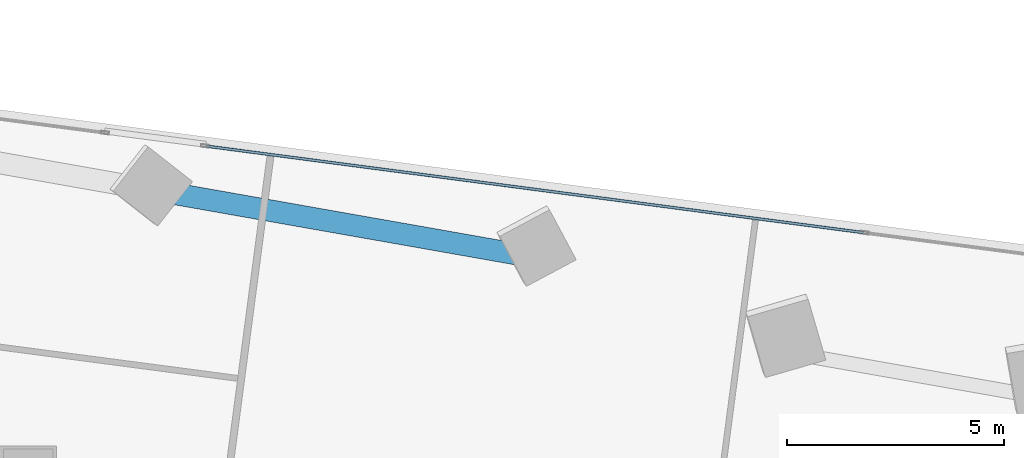
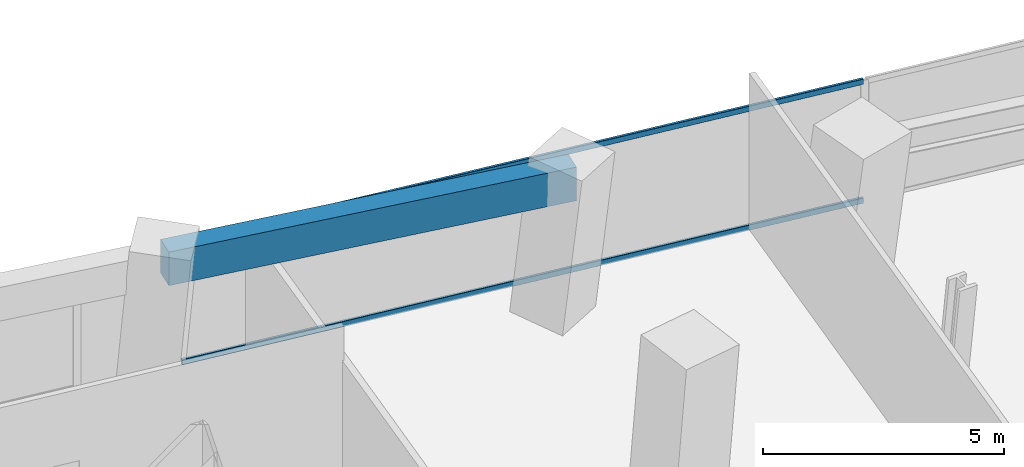
# One storey, part 15 of 24: 2 members, 1 beam, 1 element without a shape of its own.
"""IFC4 building model written with IfcOpenShell, lengths in metres."""

import ifcopenshell
import ifcopenshell.guid

model = None  # the IFC model being written
_history = None  # IfcOwnerHistory: only IFC2X3 demands one
_inside = {}  # id of a spatial element -> (the spatial element, [elements in it])
_under = {}  # id of a project, library or spatial element -> (it, [spatial elements below it])
_declared = {}  # id of a project -> (the project, [libraries it declares])
_typed = {}  # id of a type object -> (the type object, [elements of that type])
_made_of = {}  # id of a material, layer set ... -> (it, [elements and type objects made of it])


def new_model(schema):
    """Start an empty IFC model of exactly this schema.

    Asked for "IFC4X3", IfcOpenShell would pick the latest addendum, in which some entities
    have other attributes; the version numbers below select the first issue.
    IFC2X3 requires an IfcOwnerHistory on every rooted entity: one is made here for all.
    """
    global model, _history
    if schema == "IFC4X3":
        model = ifcopenshell.file(schema_version=(4, 3, 0, 0))
    else:
        model = ifcopenshell.file(schema=schema)
    _inside.clear()
    _under.clear()
    _declared.clear()
    _typed.clear()
    _made_of.clear()
    _history = None
    if model.schema == "IFC2X3":
        org = make("IfcOrganization", Name="unknown")
        user = make(
            "IfcPersonAndOrganization",
            ThePerson=make("IfcPerson", FamilyName="unknown"),
            TheOrganization=org,
        )
        app = make(
            "IfcApplication",
            ApplicationDeveloper=org,
            Version="unknown",
            ApplicationFullName="unknown",
            ApplicationIdentifier="unknown",
        )
        _history = make(
            "IfcOwnerHistory",
            OwningUser=user,
            OwningApplication=app,
            ChangeAction="ADDED",
            CreationDate=0,
        )
    return model


def make(cls, **values):
    """One entity of the class cls with the attributes given. An attribute that is None is left unset."""
    return model.create_entity(
        cls, **{name: value for name, value in values.items() if value is not None}
    )


def rooted(cls, **values):
    """An entity with a GlobalId (a new one), such as an element, a storey or a relation."""
    return make(cls, GlobalId=ifcopenshell.guid.new(), OwnerHistory=_history, **values)


def si_unit(unit_type, name, prefix=None):
    """IfcSIUnit, for example si_unit("LENGTHUNIT", "METRE", prefix="MILLI")."""
    return make("IfcSIUnit", UnitType=unit_type, Prefix=prefix, Name=name)


def assignment(units):
    """IfcUnitAssignment: the units of a project."""
    return None if units is None else make("IfcUnitAssignment", Units=units)


def point(xyz):
    """IfcCartesianPoint."""
    return None if xyz is None else make("IfcCartesianPoint", Coordinates=xyz)


def direction(xyz):
    """IfcDirection."""
    return None if xyz is None else make("IfcDirection", DirectionRatios=xyz)


def frame(location, z_axis=None, x_axis=None):
    """IfcAxis2Placement3D, a coordinate frame: its origin and axes. An axis left out is left unset."""
    return make(
        "IfcAxis2Placement3D",
        Location=point(location),
        Axis=direction(z_axis),
        RefDirection=direction(x_axis),
    )


def frame_2d(location, x_axis=None):
    """IfcAxis2Placement2D, a coordinate frame in the plane: its origin and x axis."""
    return make(
        "IfcAxis2Placement2D", Location=point(location), RefDirection=direction(x_axis)
    )


def origin():
    """The frame at (0, 0, 0) with its axes left unset."""
    return frame((0.0, 0.0, 0.0))


def origin_2d():
    """The frame at (0, 0) in the plane with its x axis left unset."""
    return frame_2d((0.0, 0.0))


def place(relative_to, where):
    """IfcLocalPlacement: puts the frame where relative to a parent placement (None: the world)."""
    return make(
        "IfcLocalPlacement", PlacementRelTo=relative_to, RelativePlacement=where
    )


def context(
    kind, dimensions, precision=None, world=None, true_north=None, identifier=None
):
    """IfcGeometricRepresentationContext, for example the 3D "Model" context."""
    return make(
        "IfcGeometricRepresentationContext",
        ContextIdentifier=identifier,
        ContextType=kind,
        CoordinateSpaceDimension=dimensions,
        Precision=precision,
        WorldCoordinateSystem=world,
        TrueNorth=true_north,
    )


def subcontext(parent, identifier, kind, view, scale=None):
    """IfcGeometricRepresentationSubContext, for example "Body" below "Model"."""
    return make(
        "IfcGeometricRepresentationSubContext",
        ContextIdentifier=identifier,
        ContextType=kind,
        ParentContext=parent,
        TargetScale=scale,
        TargetView=view,
    )


def project(units=None, contexts=None):
    """IfcProject with its units and contexts."""
    return rooted(
        "IfcProject",
        Name="project",
        RepresentationContexts=contexts,
        UnitsInContext=assignment(units),
    )


def spatial(cls, under=None, at=None, **own):
    """A site, building, storey or space (cls), placed at a placement, below another one or the project."""
    s = rooted(cls, ObjectPlacement=at, **own)
    if under is not None:
        _under.setdefault(under.id(), (under, []))[1].append(s)
    return s


def profile(cls, at=None, kind="AREA", **sizes):
    """A parametric profile (cls). Its sizes go by their IFC names, for example OverallWidth=200.0."""
    return make(cls, ProfileType=kind, Position=at, **sizes)


def rectangle(**sizes):
    """IfcRectangleProfileDef."""
    return profile("IfcRectangleProfileDef", **sizes)


def hollow_rectangle(**sizes):
    """IfcRectangleHollowProfileDef."""
    return profile("IfcRectangleHollowProfileDef", **sizes)


def extrude(swept, where, along, depth):
    """IfcExtrudedAreaSolid: the profile swept, set in the frame where, extruded along a direction by depth."""
    return make(
        "IfcExtrudedAreaSolid",
        SweptArea=swept,
        Position=where,
        ExtrudedDirection=direction(along),
        Depth=depth,
    )


def shape(context_of_items, identifier, shape_type, items):
    """IfcShapeRepresentation: the items that make up one representation, for example the "Body"."""
    return make(
        "IfcShapeRepresentation",
        ContextOfItems=context_of_items,
        RepresentationIdentifier=identifier,
        RepresentationType=shape_type,
        Items=items,
    )


def source(mapping_origin, context_of_items, identifier, shape_type, items):
    """IfcRepresentationMap: a shape defined once, which mapped items show again and again."""
    return make(
        "IfcRepresentationMap",
        MappingOrigin=mapping_origin,
        MappedRepresentation=shape(context_of_items, identifier, shape_type, items),
    )


def transform(
    local_origin,
    x_axis=None,
    y_axis=None,
    z_axis=None,
    scale=None,
    scale2=None,
    scale3=None,
    uniform=True,
):
    """IfcCartesianTransformationOperator3D, or its non-uniform kind. x_axis, y_axis, z_axis: its Axis1, 2, 3."""
    if uniform:
        return make(
            "IfcCartesianTransformationOperator3D",
            Axis1=direction(x_axis),
            Axis2=direction(y_axis),
            LocalOrigin=point(local_origin),
            Scale=scale,
            Axis3=direction(z_axis),
        )
    return make(
        "IfcCartesianTransformationOperator3DnonUniform",
        Axis1=direction(x_axis),
        Axis2=direction(y_axis),
        LocalOrigin=point(local_origin),
        Scale=scale,
        Axis3=direction(z_axis),
        Scale2=scale2,
        Scale3=scale3,
    )


def mapped(mapping_source, mapping_target):
    """IfcMappedItem: shows the shape of a source again, moved by a transform."""
    return make(
        "IfcMappedItem", MappingSource=mapping_source, MappingTarget=mapping_target
    )


def material(Name=None, Category=None):
    """IfcMaterial."""
    return make("IfcMaterial", Name=Name, Category=Category)


def material_profile(
    of_material, cross_section, Name=None, Category=None, Priority=None
):
    """IfcMaterialProfile: a cross section and its material."""
    return make(
        "IfcMaterialProfile",
        Name=Name,
        Material=of_material,
        Profile=cross_section,
        Priority=Priority,
        Category=Category,
    )


def profile_set(profiles, Name=None, composite=None):
    """IfcMaterialProfileSet."""
    return make(
        "IfcMaterialProfileSet",
        Name=Name,
        MaterialProfiles=profiles,
        CompositeProfile=composite,
    )


def made_of(thing, what):
    """Note that an element or type object is made of a material, layer set ...; save() writes the relation."""
    if what is not None:
        _made_of.setdefault(what.id(), (what, []))[1].append(thing)
    return thing


def type_object(cls, material=None, **own):
    """A type object (cls), such as IfcWallType, which elements share."""
    return made_of(rooted(cls, **own), material)


def element(
    cls,
    number,
    at=None,
    inside=None,
    cuts=None,
    type_object=None,
    material=None,
    context=None,
    identifier="Body",
    shape_type=None,
    held_by="IfcProductDefinitionShape",
    body=None,
    shapes=None,
    **own,
):
    """One element of the class cls, such as IfcWall. Its Tag is "e" and its number.

    at: its placement. inside: the storey or other place that contains it. cuts: it is an
    opening in that element (IfcRelVoidsElement). A single representation is given by context,
    identifier, shape_type and body (its items); several are given by shapes. held_by: the class
    of the entity that holds the representations. save() writes the other relations.
    """
    e = rooted(cls, Tag="e%d" % number, ObjectPlacement=at, **own)
    if body is not None:
        shapes = [shape(context, identifier, shape_type, body)]
    if shapes is not None:
        e.Representation = make(held_by, Representations=shapes)
    if inside is not None:
        _inside.setdefault(inside.id(), (inside, []))[1].append(e)
    if cuts is not None:
        rooted(
            "IfcRelVoidsElement", RelatingBuildingElement=cuts, RelatedOpeningElement=e
        )
    if type_object is not None:
        _typed.setdefault(type_object.id(), (type_object, []))[1].append(e)
    return made_of(e, material)


def aggregate(whole, parts):
    """IfcRelAggregates: a whole, such as a stair, and the parts it consists of."""
    return rooted("IfcRelAggregates", RelatingObject=whole, RelatedObjects=parts)


def save(model, path):
    """Write the relations noted so far, then the file.

    IfcRelAggregates (storeys below a building ...), IfcRelContainedInSpatialStructure (elements
    in a storey), IfcRelDefinesByType, IfcRelAssociatesMaterial and IfcRelDeclares: one each for
    every whole, place, type object, material and project.
    """
    for whole, parts in _under.values():
        aggregate(whole, parts)
    for where, things in _inside.values():
        rooted(
            "IfcRelContainedInSpatialStructure",
            RelatedElements=things,
            RelatingStructure=where,
        )
    for kind, things in _typed.values():
        rooted("IfcRelDefinesByType", RelatedObjects=things, RelatingType=kind)
    for what, things in _made_of.values():
        rooted("IfcRelAssociatesMaterial", RelatedObjects=things, RelatingMaterial=what)
    for by, libraries in _declared.values():
        rooted("IfcRelDeclares", RelatingContext=by, RelatedDefinitions=libraries)
    model.write(path)


model = new_model("IFC4")

# Units and contexts
model_context = context("Model", 3, precision=1e-05, world=origin(), true_north=direction((0.0, 1.0)))
body_context = subcontext(model_context, "Body", "Model", "MODEL_VIEW")
ifc_project = project(units=[si_unit("LENGTHUNIT", "METRE"), si_unit("AREAUNIT", "SQUARE_METRE"), si_unit("VOLUMEUNIT", "CUBIC_METRE"), si_unit("PLANEANGLEUNIT", "RADIAN"), si_unit("MASSUNIT", "GRAM", prefix="KILO")], contexts=[model_context])

# Site, building, storey
site_placement = place(None, origin())
site = spatial("IfcSite", under=ifc_project, at=site_placement, CompositionType="ELEMENT")
building_placement = place(site_placement, origin())
building = spatial("IfcBuilding", under=site, at=building_placement, Name="Torre Montelarca", CompositionType="ELEMENT")
storey_placement = place(building_placement, frame((0.0, 0.0, 70.60009765625)))
storey = spatial("IfcBuildingStorey", under=building, at=storey_placement, Name="L15", CompositionType="ELEMENT", Elevation=70.60009765625)

# Beam
ifc_material_1 = material(Name="Concrete C55/67", Category="concrete")
ifc_material_profile_1 = material_profile(ifc_material_1, rectangle(XDim=0.5, YDim=0.85009765625, at=origin_2d()), Name="RCB500X850", Category="concrete")
ifc_profile_set_1 = profile_set([ifc_material_profile_1], Name="Concrete C55/67")
beam_type = type_object("IfcBeamType", Name="BM-SP-RC850-EXT", PredefinedType="SPANDREL", material=ifc_profile_set_1)
shared_shape_1 = source(origin(), body_context, "Body", "SweptSolid", [
    extrude(rectangle(XDim=0.5, YDim=0.85009765625, at=origin_2d()), origin(), (0.0, 0.0, 1.0), 9.0),
])
beam_placement = place(storey_placement, frame((29.547119140625, 45.96484375, 3.534912109375), z_axis=(0.98480485219, -0.173664628243, 0.0), x_axis=(0.173664628243, 0.98480485219, 0.0)))
element("IfcBeam", 1, at=beam_placement, inside=storey, type_object=beam_type, Name="L15 Grid Girder X 27.0-36.0 at Y=47.1", PredefinedType="SPANDREL", context=body_context, shape_type="MappedRepresentation", body=[
    mapped(shared_shape_1, transform((0.0, 0.0, 0.0), scale=1.0)),
])

# Curtain wall, members
ifc_material_2 = material(Name="Insulated low-E laminated glass", Category="glass")
curtain_wall_type = type_object("IfcCurtainWallType", Name="CW-SYS-Z1", PredefinedType="USERDEFINED", material=ifc_material_2)
curtain_wall_placement = place(storey_placement, origin())
curtain_wall = element("IfcCurtainWall", 2, at=curtain_wall_placement, inside=storey, type_object=curtain_wall_type, Name="L15 Curtain Wall Run CW-T3-L15-E08-B1", ObjectType="UNITISED GLAZING", PredefinedType="USERDEFINED")
ifc_material_3 = material(Name="Anodised aluminium AA 6063-T6", Category="aluminium")
ifc_material_profile_2 = material_profile(ifc_material_3, hollow_rectangle(XDim=0.06494140625, YDim=0.139892578125, WallThickness=0.00390625, InnerFilletRadius=0.00390625, OuterFilletRadius=0.008056640625, at=origin_2d()), Name="ALU65X140X4", Category="aluminium")
ifc_profile_set_2 = profile_set([ifc_material_profile_2], Name="Anodised aluminium AA 6063-T6")
member_type = type_object("IfcMemberType", Name="CWT-ALU140", PredefinedType="USERDEFINED", material=ifc_profile_set_2)
shared_shape_2 = source(origin(), body_context, "Body", "SweptSolid", [
    extrude(hollow_rectangle(XDim=0.06494140625, YDim=0.139892578125, WallThickness=0.00390625, InnerFilletRadius=0.00390625, OuterFilletRadius=0.008056640625, at=origin_2d()), origin(), (0.0, 0.0, 1.0), 15.2900390625),
])
member_1_placement = place(storey_placement, frame((45.720947265625, 45.02001953125, 0.032470703125), z_axis=(-0.991446032695, 0.130517294841, 0.0), x_axis=(-0.130517294841, -0.991446032695, 0.0)))
member_1 = element("IfcMember", 3, at=member_1_placement, type_object=member_type, Name="CW transom 2.1", ObjectType="TRANSOM", PredefinedType="USERDEFINED", context=body_context, shape_type="MappedRepresentation", body=[
    mapped(shared_shape_2, transform((0.0, 0.0, 0.0), scale=1.0)),
])
member_2_placement = place(storey_placement, frame((45.720947265625, 45.02001953125, 3.04248046875), z_axis=(-0.991446032695, 0.130517294841, 0.0), x_axis=(-0.130517294841, -0.991446032695, 0.0)))
member_2 = element("IfcMember", 4, at=member_2_placement, type_object=member_type, Name="CW transom 2.2", ObjectType="TRANSOM", PredefinedType="USERDEFINED", context=body_context, shape_type="MappedRepresentation", body=[
    mapped(shared_shape_2, transform((0.0, 0.0, 0.0), scale=1.0)),
])
aggregate(curtain_wall, [member_1, member_2])

save(model, "model.ifc")
